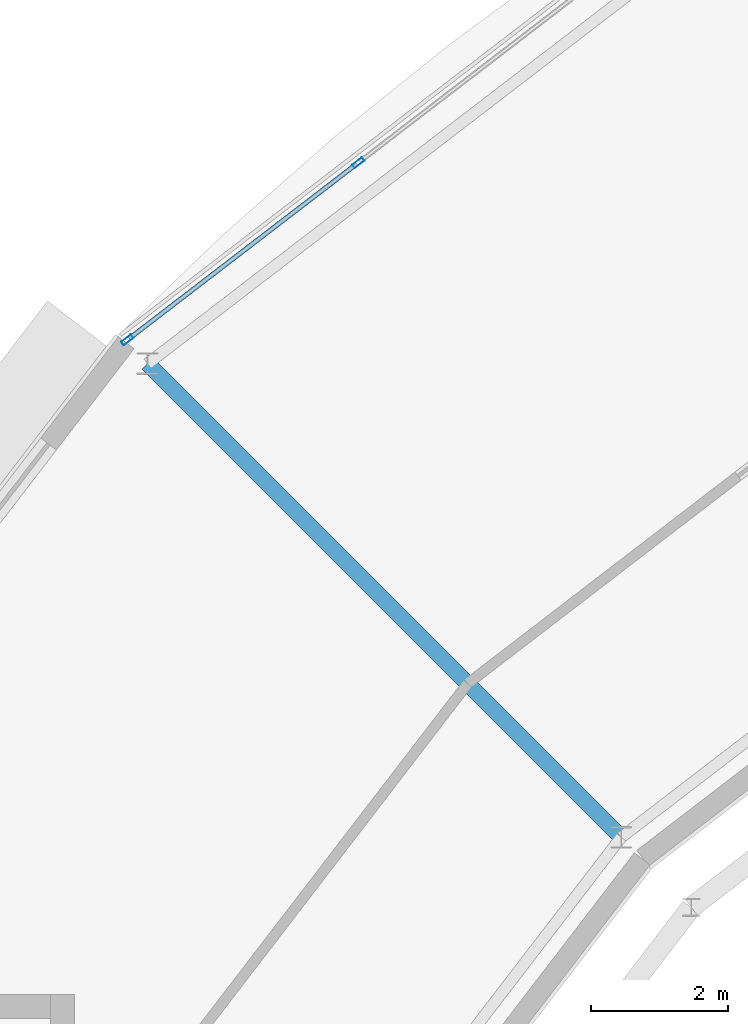
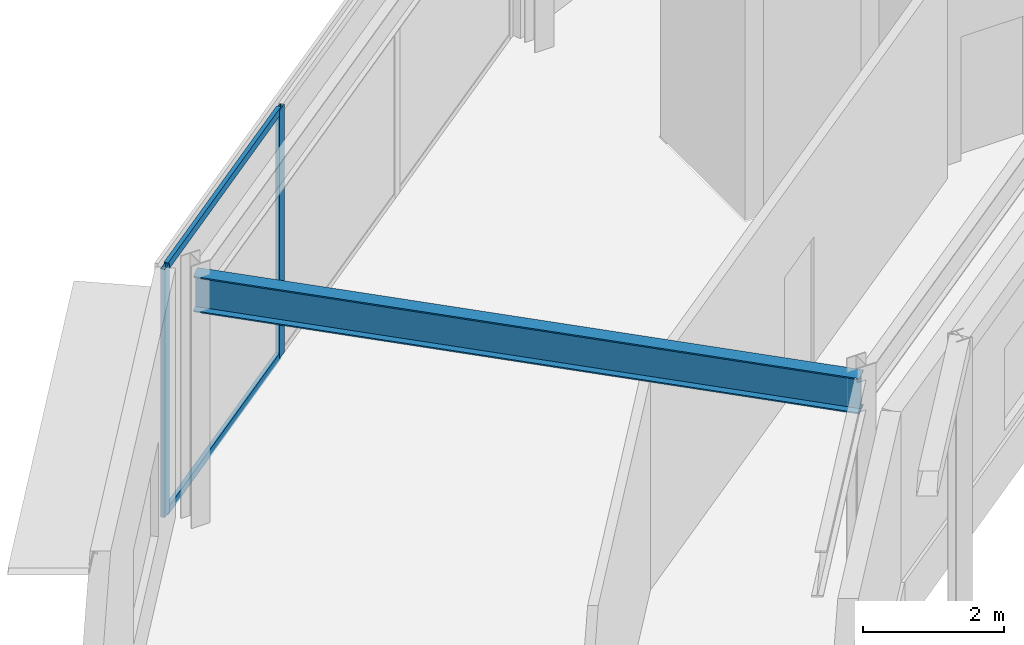
# One storey, part 30 of 89: 4 members, 1 beam, 1 element without a shape of its own.
"""IFC4 building model written with IfcOpenShell, lengths in metres."""

import ifcopenshell
import ifcopenshell.guid

model = None  # the IFC model being written
_history = None  # IfcOwnerHistory: only IFC2X3 demands one
_inside = {}  # id of a spatial element -> (the spatial element, [elements in it])
_under = {}  # id of a project, library or spatial element -> (it, [spatial elements below it])
_declared = {}  # id of a project -> (the project, [libraries it declares])
_typed = {}  # id of a type object -> (the type object, [elements of that type])
_made_of = {}  # id of a material, layer set ... -> (it, [elements and type objects made of it])


def new_model(schema):
    """Start an empty IFC model of exactly this schema.

    Asked for "IFC4X3", IfcOpenShell would pick the latest addendum, in which some entities
    have other attributes; the version numbers below select the first issue.
    IFC2X3 requires an IfcOwnerHistory on every rooted entity: one is made here for all.
    """
    global model, _history
    if schema == "IFC4X3":
        model = ifcopenshell.file(schema_version=(4, 3, 0, 0))
    else:
        model = ifcopenshell.file(schema=schema)
    _inside.clear()
    _under.clear()
    _declared.clear()
    _typed.clear()
    _made_of.clear()
    _history = None
    if model.schema == "IFC2X3":
        org = make("IfcOrganization", Name="unknown")
        user = make(
            "IfcPersonAndOrganization",
            ThePerson=make("IfcPerson", FamilyName="unknown"),
            TheOrganization=org,
        )
        app = make(
            "IfcApplication",
            ApplicationDeveloper=org,
            Version="unknown",
            ApplicationFullName="unknown",
            ApplicationIdentifier="unknown",
        )
        _history = make(
            "IfcOwnerHistory",
            OwningUser=user,
            OwningApplication=app,
            ChangeAction="ADDED",
            CreationDate=0,
        )
    return model


def make(cls, **values):
    """One entity of the class cls with the attributes given. An attribute that is None is left unset."""
    return model.create_entity(
        cls, **{name: value for name, value in values.items() if value is not None}
    )


def rooted(cls, **values):
    """An entity with a GlobalId (a new one), such as an element, a storey or a relation."""
    return make(cls, GlobalId=ifcopenshell.guid.new(), OwnerHistory=_history, **values)


def si_unit(unit_type, name, prefix=None):
    """IfcSIUnit, for example si_unit("LENGTHUNIT", "METRE", prefix="MILLI")."""
    return make("IfcSIUnit", UnitType=unit_type, Prefix=prefix, Name=name)


def assignment(units):
    """IfcUnitAssignment: the units of a project."""
    return None if units is None else make("IfcUnitAssignment", Units=units)


def point(xyz):
    """IfcCartesianPoint."""
    return None if xyz is None else make("IfcCartesianPoint", Coordinates=xyz)


def direction(xyz):
    """IfcDirection."""
    return None if xyz is None else make("IfcDirection", DirectionRatios=xyz)


def frame(location, z_axis=None, x_axis=None):
    """IfcAxis2Placement3D, a coordinate frame: its origin and axes. An axis left out is left unset."""
    return make(
        "IfcAxis2Placement3D",
        Location=point(location),
        Axis=direction(z_axis),
        RefDirection=direction(x_axis),
    )


def frame_2d(location, x_axis=None):
    """IfcAxis2Placement2D, a coordinate frame in the plane: its origin and x axis."""
    return make(
        "IfcAxis2Placement2D", Location=point(location), RefDirection=direction(x_axis)
    )


def origin():
    """The frame at (0, 0, 0) with its axes left unset."""
    return frame((0.0, 0.0, 0.0))


def origin_2d():
    """The frame at (0, 0) in the plane with its x axis left unset."""
    return frame_2d((0.0, 0.0))


def place(relative_to, where):
    """IfcLocalPlacement: puts the frame where relative to a parent placement (None: the world)."""
    return make(
        "IfcLocalPlacement", PlacementRelTo=relative_to, RelativePlacement=where
    )


def context(
    kind, dimensions, precision=None, world=None, true_north=None, identifier=None
):
    """IfcGeometricRepresentationContext, for example the 3D "Model" context."""
    return make(
        "IfcGeometricRepresentationContext",
        ContextIdentifier=identifier,
        ContextType=kind,
        CoordinateSpaceDimension=dimensions,
        Precision=precision,
        WorldCoordinateSystem=world,
        TrueNorth=true_north,
    )


def subcontext(parent, identifier, kind, view, scale=None):
    """IfcGeometricRepresentationSubContext, for example "Body" below "Model"."""
    return make(
        "IfcGeometricRepresentationSubContext",
        ContextIdentifier=identifier,
        ContextType=kind,
        ParentContext=parent,
        TargetScale=scale,
        TargetView=view,
    )


def project(units=None, contexts=None):
    """IfcProject with its units and contexts."""
    return rooted(
        "IfcProject",
        Name="project",
        RepresentationContexts=contexts,
        UnitsInContext=assignment(units),
    )


def spatial(cls, under=None, at=None, **own):
    """A site, building, storey or space (cls), placed at a placement, below another one or the project."""
    s = rooted(cls, ObjectPlacement=at, **own)
    if under is not None:
        _under.setdefault(under.id(), (under, []))[1].append(s)
    return s


def profile(cls, at=None, kind="AREA", **sizes):
    """A parametric profile (cls). Its sizes go by their IFC names, for example OverallWidth=200.0."""
    return make(cls, ProfileType=kind, Position=at, **sizes)


def hollow_rectangle(**sizes):
    """IfcRectangleHollowProfileDef."""
    return profile("IfcRectangleHollowProfileDef", **sizes)


def i_section(**sizes):
    """IfcIShapeProfileDef."""
    return profile("IfcIShapeProfileDef", **sizes)


def extrude(swept, where, along, depth):
    """IfcExtrudedAreaSolid: the profile swept, set in the frame where, extruded along a direction by depth."""
    return make(
        "IfcExtrudedAreaSolid",
        SweptArea=swept,
        Position=where,
        ExtrudedDirection=direction(along),
        Depth=depth,
    )


def shape(context_of_items, identifier, shape_type, items):
    """IfcShapeRepresentation: the items that make up one representation, for example the "Body"."""
    return make(
        "IfcShapeRepresentation",
        ContextOfItems=context_of_items,
        RepresentationIdentifier=identifier,
        RepresentationType=shape_type,
        Items=items,
    )


def material(Name=None, Category=None):
    """IfcMaterial."""
    return make("IfcMaterial", Name=Name, Category=Category)


def material_profile(
    of_material, cross_section, Name=None, Category=None, Priority=None
):
    """IfcMaterialProfile: a cross section and its material."""
    return make(
        "IfcMaterialProfile",
        Name=Name,
        Material=of_material,
        Profile=cross_section,
        Priority=Priority,
        Category=Category,
    )


def profile_set(profiles, Name=None, composite=None):
    """IfcMaterialProfileSet."""
    return make(
        "IfcMaterialProfileSet",
        Name=Name,
        MaterialProfiles=profiles,
        CompositeProfile=composite,
    )


def made_of(thing, what):
    """Note that an element or type object is made of a material, layer set ...; save() writes the relation."""
    if what is not None:
        _made_of.setdefault(what.id(), (what, []))[1].append(thing)
    return thing


def type_object(cls, material=None, **own):
    """A type object (cls), such as IfcWallType, which elements share."""
    return made_of(rooted(cls, **own), material)


def element(
    cls,
    number,
    at=None,
    inside=None,
    cuts=None,
    type_object=None,
    material=None,
    context=None,
    identifier="Body",
    shape_type=None,
    held_by="IfcProductDefinitionShape",
    body=None,
    shapes=None,
    **own,
):
    """One element of the class cls, such as IfcWall. Its Tag is "e" and its number.

    at: its placement. inside: the storey or other place that contains it. cuts: it is an
    opening in that element (IfcRelVoidsElement). A single representation is given by context,
    identifier, shape_type and body (its items); several are given by shapes. held_by: the class
    of the entity that holds the representations. save() writes the other relations.
    """
    e = rooted(cls, Tag="e%d" % number, ObjectPlacement=at, **own)
    if body is not None:
        shapes = [shape(context, identifier, shape_type, body)]
    if shapes is not None:
        e.Representation = make(held_by, Representations=shapes)
    if inside is not None:
        _inside.setdefault(inside.id(), (inside, []))[1].append(e)
    if cuts is not None:
        rooted(
            "IfcRelVoidsElement", RelatingBuildingElement=cuts, RelatedOpeningElement=e
        )
    if type_object is not None:
        _typed.setdefault(type_object.id(), (type_object, []))[1].append(e)
    return made_of(e, material)


def aggregate(whole, parts):
    """IfcRelAggregates: a whole, such as a stair, and the parts it consists of."""
    return rooted("IfcRelAggregates", RelatingObject=whole, RelatedObjects=parts)


def save(model, path):
    """Write the relations noted so far, then the file.

    IfcRelAggregates (storeys below a building ...), IfcRelContainedInSpatialStructure (elements
    in a storey), IfcRelDefinesByType, IfcRelAssociatesMaterial and IfcRelDeclares: one each for
    every whole, place, type object, material and project.
    """
    for whole, parts in _under.values():
        aggregate(whole, parts)
    for where, things in _inside.values():
        rooted(
            "IfcRelContainedInSpatialStructure",
            RelatedElements=things,
            RelatingStructure=where,
        )
    for kind, things in _typed.values():
        rooted("IfcRelDefinesByType", RelatedObjects=things, RelatingType=kind)
    for what, things in _made_of.values():
        rooted("IfcRelAssociatesMaterial", RelatedObjects=things, RelatingMaterial=what)
    for by, libraries in _declared.values():
        rooted("IfcRelDeclares", RelatingContext=by, RelatedDefinitions=libraries)
    model.write(path)


model = new_model("IFC4")

# Units and contexts
model_context = context("Model", 3, precision=1e-05, world=origin(), true_north=direction((0.0, 1.0)))
body_context = subcontext(model_context, "Body", "Model", "MODEL_VIEW")
ifc_project = project(units=[si_unit("LENGTHUNIT", "METRE"), si_unit("AREAUNIT", "SQUARE_METRE"), si_unit("VOLUMEUNIT", "CUBIC_METRE"), si_unit("PLANEANGLEUNIT", "RADIAN"), si_unit("MASSUNIT", "GRAM", prefix="KILO")], contexts=[model_context])

# Site, building, storey
site_placement = place(None, origin())
site = spatial("IfcSite", under=ifc_project, at=site_placement, CompositionType="ELEMENT")
building_placement = place(site_placement, origin())
building = spatial("IfcBuilding", under=site, at=building_placement, Name="Almandine Court Research Institute", CompositionType="ELEMENT")
storey_placement = place(building_placement, frame((0.0, 0.0, 18.89990234375)))
storey = spatial("IfcBuildingStorey", under=building, at=storey_placement, Name="L04", CompositionType="ELEMENT", Elevation=18.89990234375)

# Beam
ifc_material_1 = material(Name="Steel ASTM A992 Grade 50", Category="steel")
ifc_material_profile_1 = material_profile(ifc_material_1, i_section(OverallWidth=0.22998046875, OverallDepth=0.616943359375, WebThickness=0.012939453125, FlangeThickness=0.02197265625, at=origin_2d()), Name="W610x140")
ifc_profile_set_1 = profile_set([ifc_material_profile_1], Name="Steel ASTM A992 Grade 50")
beam_type = type_object("IfcBeamType", Name="Beam-G-02", PredefinedType="BEAM", material=ifc_profile_set_1)
beam_placement = place(storey_placement, frame((59.35205078125, 83.64794921875, 4.0), z_axis=(-0.707106781187, 0.707106781187, 0.0), x_axis=(-0.707106781187, -0.707106781187, 0.0)))
element("IfcBeam", 1, at=beam_placement, inside=storey, type_object=beam_type, Name="L04 Drum Radial Girder 09", PredefinedType="BEAM", context=body_context, shape_type="SweptSolid", body=[
    extrude(i_section(OverallWidth=0.22998046875, OverallDepth=0.616943359375, WebThickness=0.012939453125, FlangeThickness=0.02197265625, at=origin_2d()), origin(), (0.0, 0.0, 1.0), 9.80029296875),
])

# Curtain wall, members
ifc_material_2 = material(Name="Unitised Curtain Wall Framing and Solar Glazing", Category="glass")
curtain_wall_type = type_object("IfcCurtainWallType", Name="CW-CWJ-21", PredefinedType="USERDEFINED", material=ifc_material_2)
curtain_wall_placement = place(storey_placement, origin())
curtain_wall = element("IfcCurtainWall", 2, at=curtain_wall_placement, inside=storey, type_object=curtain_wall_type, Name="L04 Stacked-Ring Drum Outer Solar Jali Screen 08", ObjectType="SOLAR JALI SCREEN", PredefinedType="USERDEFINED")
ifc_material_3 = material(Name="Anodised Aluminium AW-6063-T6", Category="aluminium")
ifc_material_profile_2 = material_profile(ifc_material_3, hollow_rectangle(XDim=0.06494140625, YDim=0.179931640625, WallThickness=0.00390625, at=origin_2d()), Name="ALU RHS 65x180x4")
ifc_profile_set_2 = profile_set([ifc_material_profile_2], Name="Anodised Aluminium AW-6063-T6")
member_type_1 = type_object("IfcMemberType", Name="CWMul-65x180", PredefinedType="MULLION", material=ifc_profile_set_2)
member_1_placement = place(storey_placement, frame((52.125732421875, 90.92578125, 0.0), z_axis=(0.0, 0.0, 1.0), x_axis=(-0.608723313303, 0.793382586046, 0.0)))
member_1 = element("IfcMember", 3, at=member_1_placement, type_object=member_type_1, Name="CWJ-21 mullion 1", PredefinedType="MULLION", context=body_context, shape_type="SweptSolid", body=[
    extrude(hollow_rectangle(XDim=0.06494140625, YDim=0.179931640625, WallThickness=0.00390625, at=origin_2d()), origin(), (0.0, 0.0, 1.0), 4.31005859375),
])
member_2_placement = place(storey_placement, frame((55.505615234375, 93.51904296875, 0.0), z_axis=(0.0, 0.0, 1.0), x_axis=(-0.608723313303, 0.793382586046, 0.0)))
member_2 = element("IfcMember", 4, at=member_2_placement, type_object=member_type_1, Name="CWJ-21 mullion 2", PredefinedType="MULLION", context=body_context, shape_type="SweptSolid", body=[
    extrude(hollow_rectangle(XDim=0.06494140625, YDim=0.179931640625, WallThickness=0.00390625, at=origin_2d()), origin(), (0.0, 0.0, 1.0), 4.31005859375),
])
ifc_material_profile_3 = material_profile(ifc_material_3, hollow_rectangle(XDim=0.06494140625, YDim=0.1298828125, WallThickness=0.00390625, at=origin_2d()), Name="ALU RHS 65x130x4")
ifc_profile_set_3 = profile_set([ifc_material_profile_3], Name="Anodised Aluminium AW-6063-T6")
member_type_2 = type_object("IfcMemberType", Name="CWTrn-65x130", PredefinedType="NOTDEFINED", material=ifc_profile_set_3)
member_3_placement = place(storey_placement, frame((52.151611328125, 90.945556640625, 0.03271484375), z_axis=(0.793380569658, 0.608725941364, 0.0), x_axis=(-0.608725941364, 0.793380569658, 0.0)))
member_3 = element("IfcMember", 5, at=member_3_placement, type_object=member_type_2, Name="CWJ-21 transom 1.1", ObjectType="TRANSOM", PredefinedType="USERDEFINED", context=body_context, shape_type="SweptSolid", body=[
    extrude(hollow_rectangle(XDim=0.06494140625, YDim=0.1298828125, WallThickness=0.00390625, at=origin_2d()), origin(), (0.0, 0.0, 1.0), 4.195068359375),
])
member_4_placement = place(storey_placement, frame((52.151611328125, 90.945556640625, 4.277587890625), z_axis=(0.793380569658, 0.608725941364, 0.0), x_axis=(-0.608725941364, 0.793380569658, 0.0)))
member_4 = element("IfcMember", 6, at=member_4_placement, type_object=member_type_2, Name="CWJ-21 transom 1.2", ObjectType="TRANSOM", PredefinedType="USERDEFINED", context=body_context, shape_type="SweptSolid", body=[
    extrude(hollow_rectangle(XDim=0.06494140625, YDim=0.1298828125, WallThickness=0.00390625, at=origin_2d()), origin(), (0.0, 0.0, 1.0), 4.195068359375),
])
aggregate(curtain_wall, [member_1, member_2, member_3, member_4])

save(model, "model.ifc")
